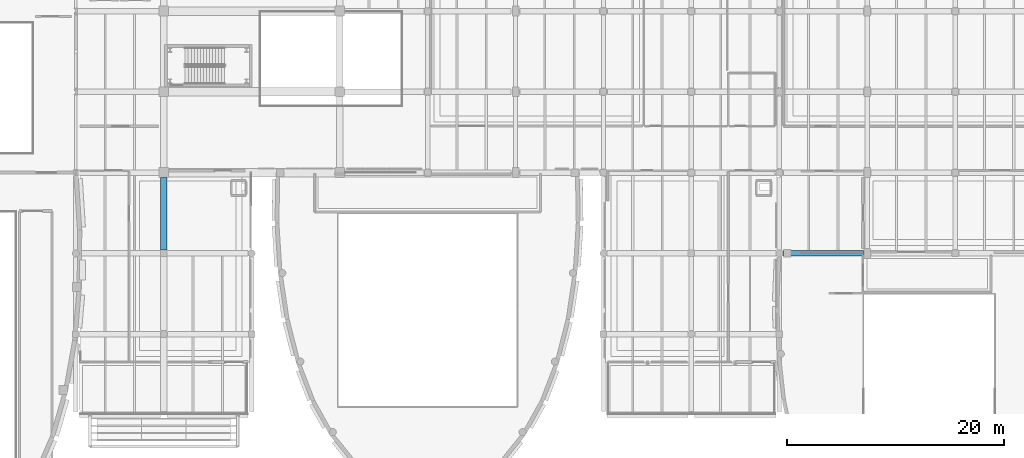
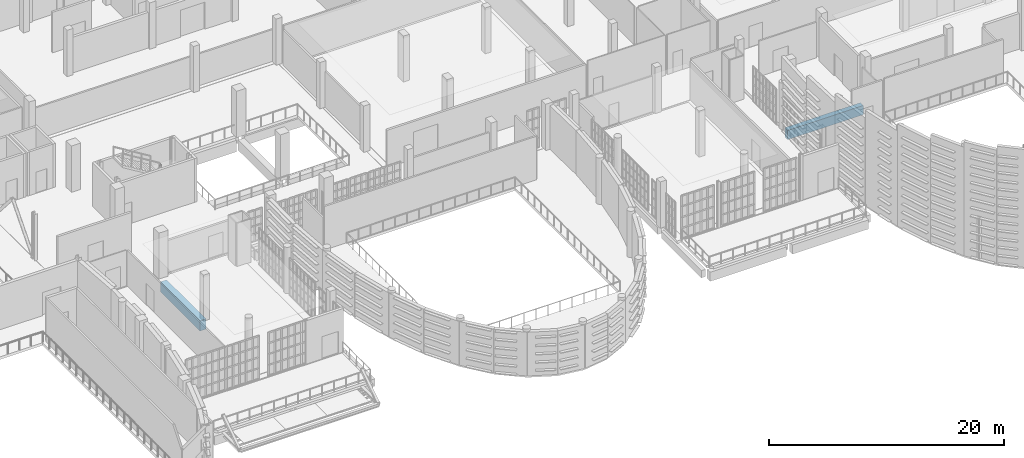
# One storey, part 34 of 104: 2 beams.
"""IFC4 building model written with IfcOpenShell, lengths in metres."""

from ifc_helpers import new_model, si_unit, direction, frame, origin, origin_2d, place, context, subcontext, project, spatial, rectangle, extrude, material, material_profile, profile_set, type_object, element, save


model = new_model("IFC4")

# Units and contexts
model_context = context("Model", 3, precision=1e-05, world=origin(), true_north=direction((0.0, 1.0)))
body_context = subcontext(model_context, "Body", "Model", "MODEL_VIEW")
ifc_project = project(units=[si_unit("LENGTHUNIT", "METRE"), si_unit("AREAUNIT", "SQUARE_METRE"), si_unit("VOLUMEUNIT", "CUBIC_METRE"), si_unit("PLANEANGLEUNIT", "RADIAN"), si_unit("MASSUNIT", "GRAM", prefix="KILO")], contexts=[model_context])

# Site, building, storey
site_placement = place(None, origin())
site = spatial("IfcSite", under=ifc_project, at=site_placement, CompositionType="ELEMENT")
building_placement = place(site_placement, origin())
building = spatial("IfcBuilding", under=site, at=building_placement, Name="Kaelora Sail Theatre", CompositionType="ELEMENT")
storey_placement = place(building_placement, frame((0.0, 0.0, 5.39990234375)))
storey = spatial("IfcBuildingStorey", under=building, at=storey_placement, Name="L01", CompositionType="ELEMENT", Elevation=5.39990234375)

# Beams
ifc_material_1 = material(Name="Concrete C45/55", Category="concrete")
ifc_material_profile_1 = material_profile(ifc_material_1, rectangle(XDim=0.5, YDim=0.949951171875, at=origin_2d()), Name="RC-GRD 500x950")
ifc_profile_set_1 = profile_set([ifc_material_profile_1], Name="Concrete C45/55")
beam_type_1 = type_object("IfcBeamType", Name="STR-BM-GR-RC5095", PredefinedType="T_BEAM", material=ifc_profile_set_1)
beam_1_placement = place(storey_placement, frame((123.324951171875, 53.580078125, -0.77001953125), z_axis=(1.0, 0.0, 0.0), x_axis=(0.0, 1.0, 0.0)))
element("IfcBeam", 1, at=beam_1_placement, inside=storey, type_object=beam_type_1, Name="Primary beam H 16-17 (L01)", PredefinedType="T_BEAM", context=body_context, shape_type="SweptSolid", body=[
    extrude(rectangle(XDim=0.5, YDim=0.949951171875, at=origin_2d()), origin(), (0.0, 0.0, 1.0), 7.425048828125),
])
ifc_material_2 = material(Name="Concrete C50/60", Category="concrete")
ifc_material_profile_2 = material_profile(ifc_material_2, rectangle(XDim=0.60009765625, YDim=1.050048828125, at=origin_2d()), Name="RC-GRD 600x1050")
ifc_profile_set_2 = profile_set([ifc_material_profile_2], Name="Concrete C50/60")
beam_type_2 = type_object("IfcBeamType", Name="STR-BM-GR-RC6105", PredefinedType="T_BEAM", material=ifc_profile_set_2)
beam_2_placement = place(storey_placement, frame((66.300048828125, 53.8798828125, -0.81982421875), z_axis=(0.0, 1.0, 0.0), x_axis=(-1.0, 0.0, 0.0)))
element("IfcBeam", 2, at=beam_2_placement, inside=storey, type_object=beam_type_2, Name="Primary beam 9 H-I (L01)", PredefinedType="T_BEAM", context=body_context, shape_type="SweptSolid", body=[
    extrude(rectangle(XDim=0.60009765625, YDim=1.050048828125, at=origin_2d()), origin(), (0.0, 0.0, 1.0), 6.690185546875),
])

save(model, "model.ifc")
